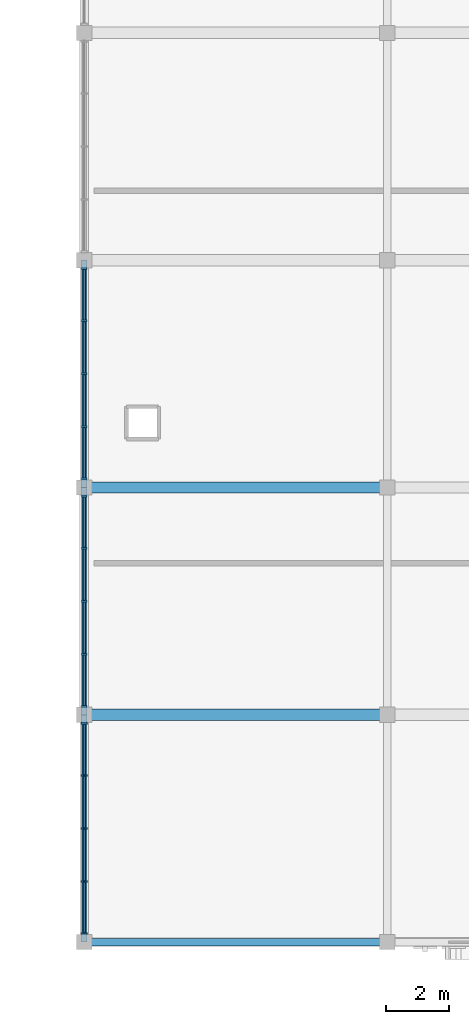
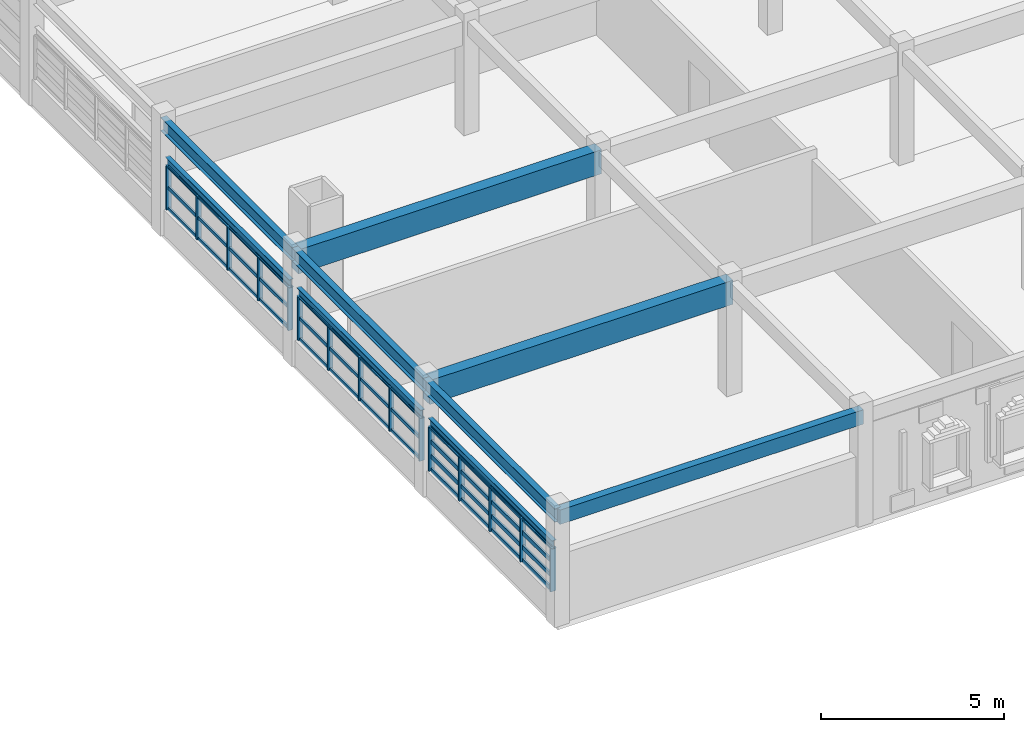
# One storey, part 11 of 79: 55 members, 9 beams, 3 elements without a shape of their own.
"""IFC4 building model written with IfcOpenShell, lengths in metres."""

from ifc_helpers import new_model, si_unit, direction, frame, origin, origin_2d, place, context, subcontext, project, spatial, rectangle, i_section, extrude, material, material_profile, profile_set, type_object, element, aggregate, save


model = new_model("IFC4")

# Units and contexts
model_context = context("Model", 3, precision=1e-05, world=origin(), true_north=direction((0.0, 1.0)))
body_context = subcontext(model_context, "Body", "Model", "MODEL_VIEW")
ifc_project = project(units=[si_unit("LENGTHUNIT", "METRE"), si_unit("AREAUNIT", "SQUARE_METRE"), si_unit("VOLUMEUNIT", "CUBIC_METRE"), si_unit("PLANEANGLEUNIT", "RADIAN"), si_unit("MASSUNIT", "GRAM", prefix="KILO")], contexts=[model_context])

# Site, building, storey
site_placement = place(None, origin())
site = spatial("IfcSite", under=ifc_project, at=site_placement, CompositionType="ELEMENT")
building_placement = place(site_placement, origin())
building = spatial("IfcBuilding", under=site, at=building_placement, Name="Nzembalo Square Collegiate School", CompositionType="ELEMENT")
storey_placement = place(building_placement, frame((0.0, 0.0, 9.52001953125)))
storey = spatial("IfcBuildingStorey", under=building, at=storey_placement, Name="L02", CompositionType="ELEMENT", Elevation=9.52001953125)

# Beams
ifc_material_1 = material(Name="Steel S355", Category="steel")
ifc_material_profile_1 = material_profile(ifc_material_1, i_section(OverallWidth=0.18994140625, OverallDepth=0.449951171875, WebThickness=0.009521484375, FlangeThickness=0.0146484375, at=origin_2d()), Name="IPE 450")
ifc_profile_set_1 = profile_set([ifc_material_profile_1], Name="Steel S355")
beam_type_1 = type_object("IfcBeamType", Name="B09", PredefinedType="BEAM", material=ifc_profile_set_1)
beam_1_placement = place(storey_placement, frame((130.800048828125, 8.39990234375, 3.56005859375), z_axis=(0.0, 1.0, 0.0), x_axis=(-1.0, 0.0, 0.0)))
element("IfcBeam", 1, at=beam_1_placement, inside=storey, type_object=beam_type_1, Name="Beam B09 L02", PredefinedType="BEAM", context=body_context, shape_type="SweptSolid", body=[
    extrude(i_section(OverallWidth=0.18994140625, OverallDepth=0.449951171875, WebThickness=0.009521484375, FlangeThickness=0.0146484375, at=origin_2d()), origin(), (0.0, 0.0, 1.0), 7.2001953125),
])
for number, where, z_axis, x_axis, name in (
    (2, (130.800048828125, 15.60009765625, 3.56005859375), (0.0, 1.0, 0.0), (-1.0, 0.0, 0.0), "Beam B09 L02"),
    (3, (130.800048828125, 22.800048828125, 3.56005859375), (0.0, 1.0, 0.0), (-1.0, 0.0, 0.0), "Beam B09 L02"),
):
    element("IfcBeam", number, at=place(storey_placement, frame(where, z_axis=z_axis, x_axis=x_axis)), inside=storey, type_object=beam_type_1, Name=name, PredefinedType="BEAM", context=body_context, shape_type="SweptSolid", body=[
        extrude(i_section(OverallWidth=0.18994140625, OverallDepth=0.449951171875, WebThickness=0.009521484375, FlangeThickness=0.0146484375, at=origin_2d()), origin(), (0.0, 0.0, 1.0), 7.199951171875),
    ])
ifc_material_2 = material(Name="Glulam GL32h", Category="wood")
ifc_material_profile_2 = material_profile(ifc_material_2, rectangle(XDim=0.360107421875, YDim=0.800048828125, at=origin_2d()), Name="GL32h 360x800")
ifc_profile_set_2 = profile_set([ifc_material_profile_2], Name="Glulam GL32h")
beam_type_2 = type_object("IfcBeamType", Name="B13", PredefinedType="BEAM", material=ifc_profile_set_2)
for number, where, z_axis, x_axis, name in (
    (4, (130.800048828125, 15.60009765625, 3.385009765625), (1.0, 0.0, 0.0), (0.0, 1.0, 0.0), "Beam B13 L02"),
    (5, (130.800048828125, 22.800048828125, 3.385009765625), (1.0, 0.0, 0.0), (0.0, 1.0, 0.0), "Beam B13 L02"),
):
    element("IfcBeam", number, at=place(storey_placement, frame(where, z_axis=z_axis, x_axis=x_axis)), inside=storey, type_object=beam_type_2, Name=name, PredefinedType="BEAM", context=body_context, shape_type="SweptSolid", body=[
        extrude(rectangle(XDim=0.360107421875, YDim=0.800048828125, at=origin_2d()), origin(), (0.0, 0.0, 1.0), 9.599853515625),
    ])
ifc_material_3 = material(Name="Steel S355", Category="steel")
ifc_material_profile_3 = material_profile(ifc_material_3, i_section(OverallWidth=0.135009765625, OverallDepth=0.27001953125, WebThickness=0.006591796875, FlangeThickness=0.01025390625, at=origin_2d()), Name="IPE 270")
ifc_profile_set_3 = profile_set([ifc_material_profile_3], Name="Steel S355")
beam_type_3 = type_object("IfcBeamType", Name="LN02", PredefinedType="LINTEL", material=ifc_profile_set_3)
beam_2_placement = place(storey_placement, frame((130.800048828125, 8.60009765625, 2.445068359375), z_axis=(0.0, 1.0, 0.0), x_axis=(-1.0, 0.0, 0.0)))
element("IfcBeam", 6, at=beam_2_placement, inside=storey, type_object=beam_type_3, Name="Opening lintel LN02-07", PredefinedType="LINTEL", context=body_context, shape_type="SweptSolid", body=[
    extrude(i_section(OverallWidth=0.135009765625, OverallDepth=0.27001953125, WebThickness=0.006591796875, FlangeThickness=0.01025390625, at=origin_2d()), origin(), (0.0, 0.0, 1.0), 6.7998046875),
])
for number, where, z_axis, x_axis, name in (
    (7, (130.800048828125, 15.800048828125, 2.445068359375), (0.0, 1.0, 0.0), (-1.0, 0.0, 0.0), "Opening lintel LN02-08"),
    (8, (130.800048828125, 23.0, 2.445068359375), (0.0, 1.0, 0.0), (-1.0, 0.0, 0.0), "Opening lintel LN02-09"),
):
    element("IfcBeam", number, at=place(storey_placement, frame(where, z_axis=z_axis, x_axis=x_axis)), inside=storey, type_object=beam_type_3, Name=name, PredefinedType="LINTEL", context=body_context, shape_type="SweptSolid", body=[
        extrude(i_section(OverallWidth=0.135009765625, OverallDepth=0.27001953125, WebThickness=0.006591796875, FlangeThickness=0.01025390625, at=origin_2d()), origin(), (0.0, 0.0, 1.0), 6.800048828125),
    ])
ifc_material_4 = material(Name="Glulam GL28h", Category="wood")
ifc_material_profile_4 = material_profile(ifc_material_4, rectangle(XDim=0.239990234375, YDim=0.47998046875, at=origin_2d()), Name="GL28h 240x480")
ifc_profile_set_4 = profile_set([ifc_material_profile_4], Name="Glulam GL28h")
beam_type_4 = type_object("IfcBeamType", Name="SP02", PredefinedType="SPANDREL", material=ifc_profile_set_4)
beam_3_placement = place(storey_placement, frame((130.800048828125, 8.39990234375, 3.544921875), z_axis=(1.0, 0.0, 0.0), x_axis=(0.0, 1.0, 0.0)))
element("IfcBeam", 9, at=beam_3_placement, inside=storey, type_object=beam_type_4, Name="Beam SP02 L02", PredefinedType="SPANDREL", context=body_context, shape_type="SweptSolid", body=[
    extrude(rectangle(XDim=0.239990234375, YDim=0.47998046875, at=origin_2d()), origin(), (0.0, 0.0, 1.0), 9.599853515625),
])

# Curtain wall, members
ifc_material_5 = material(Name="Aluminium 6060-T66", Category="aluminium")
curtain_wall_type_1 = type_object("IfcCurtainWallType", Name="CW-06", PredefinedType="USERDEFINED", material=ifc_material_5)
curtain_wall_1_placement = place(storey_placement, origin())
curtain_wall_1 = element("IfcCurtainWall", 10, at=curtain_wall_1_placement, inside=storey, type_object=curtain_wall_type_1, Name="Curtain wall CW-06 cw:L02:093", ObjectType="LANCET", PredefinedType="USERDEFINED")
ifc_material_6 = material(Name="Aluminium 6060-T66", Category="aluminium")
ifc_material_profile_5 = material_profile(ifc_material_6, rectangle(XDim=0.06005859375, YDim=0.179931640625, at=origin_2d()), Name="ALU M60x180")
ifc_profile_set_5 = profile_set([ifc_material_profile_5], Name="Aluminium 6060-T66")
member_type_1 = type_object("IfcMemberType", Name="ML01", PredefinedType="MULLION", material=ifc_profile_set_5)
member_1_placement = place(storey_placement, frame((130.800048828125, 8.672119140625, 0.85009765625), z_axis=(0.0, 0.0, 1.0), x_axis=(0.0, 1.0, 0.0)))
member_1 = element("IfcMember", 11, at=member_1_placement, type_object=member_type_1, Name="ML01 mullion 1", PredefinedType="MULLION", context=body_context, shape_type="SweptSolid", body=[
    extrude(rectangle(XDim=0.06005859375, YDim=0.179931640625, at=origin_2d()), origin(), (0.0, 0.0, 1.0), 1.453857421875),
])
member_2_placement = place(storey_placement, frame((130.800048828125, 10.321044921875, 0.85009765625), z_axis=(0.0, 0.0, 1.0), x_axis=(0.0, 1.0, 0.0)))
member_2 = element("IfcMember", 12, at=member_2_placement, type_object=member_type_1, Name="ML01 mullion 2", PredefinedType="MULLION", context=body_context, shape_type="SweptSolid", body=[
    extrude(rectangle(XDim=0.06005859375, YDim=0.179931640625, at=origin_2d()), origin(), (0.0, 0.0, 1.0), 1.453857421875),
])
member_3_placement = place(storey_placement, frame((130.800048828125, 12.0, 0.85009765625), z_axis=(0.0, 0.0, 1.0), x_axis=(0.0, 1.0, 0.0)))
member_3 = element("IfcMember", 13, at=member_3_placement, type_object=member_type_1, Name="ML01 mullion 3", PredefinedType="MULLION", context=body_context, shape_type="SweptSolid", body=[
    extrude(rectangle(XDim=0.06005859375, YDim=0.179931640625, at=origin_2d()), origin(), (0.0, 0.0, 1.0), 1.453857421875),
])
member_4_placement = place(storey_placement, frame((130.800048828125, 13.678955078125, 0.85009765625), z_axis=(0.0, 0.0, 1.0), x_axis=(0.0, 1.0, 0.0)))
member_4 = element("IfcMember", 14, at=member_4_placement, type_object=member_type_1, Name="ML01 mullion 4", PredefinedType="MULLION", context=body_context, shape_type="SweptSolid", body=[
    extrude(rectangle(XDim=0.06005859375, YDim=0.179931640625, at=origin_2d()), origin(), (0.0, 0.0, 1.0), 1.453857421875),
])
member_5_placement = place(storey_placement, frame((130.800048828125, 15.327880859375, 0.85009765625), z_axis=(0.0, 0.0, 1.0), x_axis=(0.0, 1.0, 0.0)))
member_5 = element("IfcMember", 15, at=member_5_placement, type_object=member_type_1, Name="ML01 mullion 5", PredefinedType="MULLION", context=body_context, shape_type="SweptSolid", body=[
    extrude(rectangle(XDim=0.06005859375, YDim=0.179931640625, at=origin_2d()), origin(), (0.0, 0.0, 1.0), 1.453857421875),
])

ifc_material_7 = material(Name="Aluminium 6060-T66", Category="aluminium")
curtain_wall_type_2 = type_object("IfcCurtainWallType", Name="CW-07", PredefinedType="USERDEFINED", material=ifc_material_7)
curtain_wall_2_placement = place(storey_placement, origin())
curtain_wall_2 = element("IfcCurtainWall", 16, at=curtain_wall_2_placement, inside=storey, type_object=curtain_wall_type_2, Name="Curtain wall CW-07 cw:L02:094", ObjectType="LANCET", PredefinedType="USERDEFINED")
ifc_material_8 = material(Name="Aluminium 6060-T66", Category="aluminium")
ifc_material_profile_6 = material_profile(ifc_material_8, rectangle(XDim=0.06005859375, YDim=0.14990234375, at=origin_2d()), Name="ALU M60x150")
ifc_profile_set_6 = profile_set([ifc_material_profile_6], Name="Aluminium 6060-T66")
member_type_2 = type_object("IfcMemberType", Name="ML02", PredefinedType="MULLION", material=ifc_profile_set_6)
member_6_placement = place(storey_placement, frame((130.800048828125, 15.8720703125, 0.85009765625), z_axis=(0.0, 0.0, 1.0), x_axis=(0.0, 1.0, 0.0)))
member_6 = element("IfcMember", 17, at=member_6_placement, type_object=member_type_2, Name="ML02 mullion 1", PredefinedType="MULLION", context=body_context, shape_type="SweptSolid", body=[
    extrude(rectangle(XDim=0.06005859375, YDim=0.14990234375, at=origin_2d()), origin(), (0.0, 0.0, 1.0), 1.453857421875),
])
member_7_placement = place(storey_placement, frame((130.800048828125, 17.52099609375, 0.85009765625), z_axis=(0.0, 0.0, 1.0), x_axis=(0.0, 1.0, 0.0)))
member_7 = element("IfcMember", 18, at=member_7_placement, type_object=member_type_2, Name="ML02 mullion 2", PredefinedType="MULLION", context=body_context, shape_type="SweptSolid", body=[
    extrude(rectangle(XDim=0.06005859375, YDim=0.14990234375, at=origin_2d()), origin(), (0.0, 0.0, 1.0), 1.453857421875),
])
member_8_placement = place(storey_placement, frame((130.800048828125, 19.199951171875, 0.85009765625), z_axis=(0.0, 0.0, 1.0), x_axis=(0.0, 1.0, 0.0)))
member_8 = element("IfcMember", 19, at=member_8_placement, type_object=member_type_2, Name="ML02 mullion 3", PredefinedType="MULLION", context=body_context, shape_type="SweptSolid", body=[
    extrude(rectangle(XDim=0.06005859375, YDim=0.14990234375, at=origin_2d()), origin(), (0.0, 0.0, 1.0), 1.453857421875),
])
member_9_placement = place(storey_placement, frame((130.800048828125, 20.87890625, 0.85009765625), z_axis=(0.0, 0.0, 1.0), x_axis=(0.0, 1.0, 0.0)))
member_9 = element("IfcMember", 20, at=member_9_placement, type_object=member_type_2, Name="ML02 mullion 4", PredefinedType="MULLION", context=body_context, shape_type="SweptSolid", body=[
    extrude(rectangle(XDim=0.06005859375, YDim=0.14990234375, at=origin_2d()), origin(), (0.0, 0.0, 1.0), 1.453857421875),
])
member_10_placement = place(storey_placement, frame((130.800048828125, 22.528076171875, 0.85009765625), z_axis=(0.0, 0.0, 1.0), x_axis=(0.0, 1.0, 0.0)))
member_10 = element("IfcMember", 21, at=member_10_placement, type_object=member_type_2, Name="ML02 mullion 5", PredefinedType="MULLION", context=body_context, shape_type="SweptSolid", body=[
    extrude(rectangle(XDim=0.06005859375, YDim=0.14990234375, at=origin_2d()), origin(), (0.0, 0.0, 1.0), 1.453857421875),
])

ifc_material_9 = material(Name="Aluminium 6060-T66", Category="aluminium")
curtain_wall_type_3 = type_object("IfcCurtainWallType", Name="CW-08", PredefinedType="USERDEFINED", material=ifc_material_9)
curtain_wall_3_placement = place(storey_placement, origin())
curtain_wall_3 = element("IfcCurtainWall", 22, at=curtain_wall_3_placement, inside=storey, type_object=curtain_wall_type_3, Name="Curtain wall CW-08 cw:L02:095", ObjectType="LANCET", PredefinedType="USERDEFINED")
member_11_placement = place(storey_placement, frame((130.800048828125, 23.072021484375, 0.85009765625), z_axis=(0.0, 0.0, 1.0), x_axis=(0.0, 1.0, 0.0)))
member_11 = element("IfcMember", 23, at=member_11_placement, type_object=member_type_2, Name="ML02 mullion 1", PredefinedType="MULLION", context=body_context, shape_type="SweptSolid", body=[
    extrude(rectangle(XDim=0.06005859375, YDim=0.14990234375, at=origin_2d()), origin(), (0.0, 0.0, 1.0), 1.453857421875),
])
member_12_placement = place(storey_placement, frame((130.800048828125, 24.720947265625, 0.85009765625), z_axis=(0.0, 0.0, 1.0), x_axis=(0.0, 1.0, 0.0)))
member_12 = element("IfcMember", 24, at=member_12_placement, type_object=member_type_2, Name="ML02 mullion 2", PredefinedType="MULLION", context=body_context, shape_type="SweptSolid", body=[
    extrude(rectangle(XDim=0.06005859375, YDim=0.14990234375, at=origin_2d()), origin(), (0.0, 0.0, 1.0), 1.453857421875),
])
member_13_placement = place(storey_placement, frame((130.800048828125, 26.39990234375, 0.85009765625), z_axis=(0.0, 0.0, 1.0), x_axis=(0.0, 1.0, 0.0)))
member_13 = element("IfcMember", 25, at=member_13_placement, type_object=member_type_2, Name="ML02 mullion 3", PredefinedType="MULLION", context=body_context, shape_type="SweptSolid", body=[
    extrude(rectangle(XDim=0.06005859375, YDim=0.14990234375, at=origin_2d()), origin(), (0.0, 0.0, 1.0), 1.453857421875),
])
member_14_placement = place(storey_placement, frame((130.800048828125, 28.0791015625, 0.85009765625), z_axis=(0.0, 0.0, 1.0), x_axis=(0.0, 1.0, 0.0)))
member_14 = element("IfcMember", 26, at=member_14_placement, type_object=member_type_2, Name="ML02 mullion 4", PredefinedType="MULLION", context=body_context, shape_type="SweptSolid", body=[
    extrude(rectangle(XDim=0.06005859375, YDim=0.14990234375, at=origin_2d()), origin(), (0.0, 0.0, 1.0), 1.453857421875),
])
member_15_placement = place(storey_placement, frame((130.800048828125, 29.72802734375, 0.85009765625), z_axis=(0.0, 0.0, 1.0), x_axis=(0.0, 1.0, 0.0)))
member_15 = element("IfcMember", 27, at=member_15_placement, type_object=member_type_2, Name="ML02 mullion 5", PredefinedType="MULLION", context=body_context, shape_type="SweptSolid", body=[
    extrude(rectangle(XDim=0.06005859375, YDim=0.14990234375, at=origin_2d()), origin(), (0.0, 0.0, 1.0), 1.453857421875),
])

# Member
ifc_material_10 = material(Name="Aluminium 6060-T66", Category="aluminium")
ifc_material_profile_7 = material_profile(ifc_material_10, rectangle(XDim=0.06005859375, YDim=0.139892578125, at=origin_2d()), Name="ALU T60x140")
ifc_profile_set_7 = profile_set([ifc_material_profile_7], Name="Aluminium 6060-T66")
member_type_3 = type_object("IfcMemberType", Name="TR01", PredefinedType="USERDEFINED", material=ifc_profile_set_7)
member_16_placement = place(storey_placement, frame((130.800048828125, 8.701904296875, 0.8798828125), z_axis=(0.0, 1.0, 0.0), x_axis=(-1.0, 0.0, 0.0)))
member_16 = element("IfcMember", 28, at=member_16_placement, type_object=member_type_3, Name="TR01 transom 1-1", ObjectType="TRANSOM", PredefinedType="USERDEFINED", context=body_context, shape_type="SweptSolid", body=[
    extrude(rectangle(XDim=0.06005859375, YDim=0.139892578125, at=origin_2d()), origin(), (0.0, 0.0, 1.0), 1.589111328125),
])

member_17_placement = place(storey_placement, frame((130.800048828125, 10.35107421875, 0.8798828125), z_axis=(0.0, 1.0, 0.0), x_axis=(-1.0, 0.0, 0.0)))
member_17 = element("IfcMember", 29, at=member_17_placement, type_object=member_type_3, Name="TR01 transom 1-2", ObjectType="TRANSOM", PredefinedType="USERDEFINED", context=body_context, shape_type="SweptSolid", body=[
    extrude(rectangle(XDim=0.06005859375, YDim=0.139892578125, at=origin_2d()), origin(), (0.0, 0.0, 1.0), 1.618896484375),
])

member_18_placement = place(storey_placement, frame((130.800048828125, 12.030029296875, 0.8798828125), z_axis=(0.0, 1.0, 0.0), x_axis=(-1.0, 0.0, 0.0)))
member_18 = element("IfcMember", 30, at=member_18_placement, type_object=member_type_3, Name="TR01 transom 1-3", ObjectType="TRANSOM", PredefinedType="USERDEFINED", context=body_context, shape_type="SweptSolid", body=[
    extrude(rectangle(XDim=0.06005859375, YDim=0.139892578125, at=origin_2d()), origin(), (0.0, 0.0, 1.0), 1.618896484375),
])

member_19_placement = place(storey_placement, frame((130.800048828125, 13.708984375, 0.8798828125), z_axis=(0.0, 1.0, 0.0), x_axis=(-1.0, 0.0, 0.0)))
member_19 = element("IfcMember", 31, at=member_19_placement, type_object=member_type_3, Name="TR01 transom 1-4", ObjectType="TRANSOM", PredefinedType="USERDEFINED", context=body_context, shape_type="SweptSolid", body=[
    extrude(rectangle(XDim=0.06005859375, YDim=0.139892578125, at=origin_2d()), origin(), (0.0, 0.0, 1.0), 1.589111328125),
])

member_20_placement = place(storey_placement, frame((130.800048828125, 8.701904296875, 1.334716796875), z_axis=(0.0, 1.0, 0.0), x_axis=(-1.0, 0.0, 0.0)))
member_20 = element("IfcMember", 32, at=member_20_placement, type_object=member_type_3, Name="TR01 transom 2-1", ObjectType="TRANSOM", PredefinedType="USERDEFINED", context=body_context, shape_type="SweptSolid", body=[
    extrude(rectangle(XDim=0.06005859375, YDim=0.139892578125, at=origin_2d()), origin(), (0.0, 0.0, 1.0), 1.589111328125),
])

member_21_placement = place(storey_placement, frame((130.800048828125, 10.35107421875, 1.334716796875), z_axis=(0.0, 1.0, 0.0), x_axis=(-1.0, 0.0, 0.0)))
member_21 = element("IfcMember", 33, at=member_21_placement, type_object=member_type_3, Name="TR01 transom 2-2", ObjectType="TRANSOM", PredefinedType="USERDEFINED", context=body_context, shape_type="SweptSolid", body=[
    extrude(rectangle(XDim=0.06005859375, YDim=0.139892578125, at=origin_2d()), origin(), (0.0, 0.0, 1.0), 1.618896484375),
])

member_22_placement = place(storey_placement, frame((130.800048828125, 12.030029296875, 1.334716796875), z_axis=(0.0, 1.0, 0.0), x_axis=(-1.0, 0.0, 0.0)))
member_22 = element("IfcMember", 34, at=member_22_placement, type_object=member_type_3, Name="TR01 transom 2-3", ObjectType="TRANSOM", PredefinedType="USERDEFINED", context=body_context, shape_type="SweptSolid", body=[
    extrude(rectangle(XDim=0.06005859375, YDim=0.139892578125, at=origin_2d()), origin(), (0.0, 0.0, 1.0), 1.618896484375),
])

member_23_placement = place(storey_placement, frame((130.800048828125, 13.708984375, 1.334716796875), z_axis=(0.0, 1.0, 0.0), x_axis=(-1.0, 0.0, 0.0)))
member_23 = element("IfcMember", 35, at=member_23_placement, type_object=member_type_3, Name="TR01 transom 2-4", ObjectType="TRANSOM", PredefinedType="USERDEFINED", context=body_context, shape_type="SweptSolid", body=[
    extrude(rectangle(XDim=0.06005859375, YDim=0.139892578125, at=origin_2d()), origin(), (0.0, 0.0, 1.0), 1.589111328125),
])

member_24_placement = place(storey_placement, frame((130.800048828125, 8.701904296875, 1.8193359375), z_axis=(0.0, 1.0, 0.0), x_axis=(-1.0, 0.0, 0.0)))
member_24 = element("IfcMember", 36, at=member_24_placement, type_object=member_type_3, Name="TR01 transom 3-1", ObjectType="TRANSOM", PredefinedType="USERDEFINED", context=body_context, shape_type="SweptSolid", body=[
    extrude(rectangle(XDim=0.06005859375, YDim=0.139892578125, at=origin_2d()), origin(), (0.0, 0.0, 1.0), 1.589111328125),
])

member_25_placement = place(storey_placement, frame((130.800048828125, 10.35107421875, 1.8193359375), z_axis=(0.0, 1.0, 0.0), x_axis=(-1.0, 0.0, 0.0)))
member_25 = element("IfcMember", 37, at=member_25_placement, type_object=member_type_3, Name="TR01 transom 3-2", ObjectType="TRANSOM", PredefinedType="USERDEFINED", context=body_context, shape_type="SweptSolid", body=[
    extrude(rectangle(XDim=0.06005859375, YDim=0.139892578125, at=origin_2d()), origin(), (0.0, 0.0, 1.0), 1.618896484375),
])

member_26_placement = place(storey_placement, frame((130.800048828125, 12.030029296875, 1.8193359375), z_axis=(0.0, 1.0, 0.0), x_axis=(-1.0, 0.0, 0.0)))
member_26 = element("IfcMember", 38, at=member_26_placement, type_object=member_type_3, Name="TR01 transom 3-3", ObjectType="TRANSOM", PredefinedType="USERDEFINED", context=body_context, shape_type="SweptSolid", body=[
    extrude(rectangle(XDim=0.06005859375, YDim=0.139892578125, at=origin_2d()), origin(), (0.0, 0.0, 1.0), 1.618896484375),
])

member_27_placement = place(storey_placement, frame((130.800048828125, 13.708984375, 1.8193359375), z_axis=(0.0, 1.0, 0.0), x_axis=(-1.0, 0.0, 0.0)))
member_27 = element("IfcMember", 39, at=member_27_placement, type_object=member_type_3, Name="TR01 transom 3-4", ObjectType="TRANSOM", PredefinedType="USERDEFINED", context=body_context, shape_type="SweptSolid", body=[
    extrude(rectangle(XDim=0.06005859375, YDim=0.139892578125, at=origin_2d()), origin(), (0.0, 0.0, 1.0), 1.589111328125),
])

member_28_placement = place(storey_placement, frame((130.800048828125, 8.701904296875, 2.27392578125), z_axis=(0.0, 1.0, 0.0), x_axis=(-1.0, 0.0, 0.0)))
member_28 = element("IfcMember", 40, at=member_28_placement, type_object=member_type_3, Name="TR01 transom 4-1", ObjectType="TRANSOM", PredefinedType="USERDEFINED", context=body_context, shape_type="SweptSolid", body=[
    extrude(rectangle(XDim=0.06005859375, YDim=0.139892578125, at=origin_2d()), origin(), (0.0, 0.0, 1.0), 1.589111328125),
])

member_29_placement = place(storey_placement, frame((130.800048828125, 10.35107421875, 2.27392578125), z_axis=(0.0, 1.0, 0.0), x_axis=(-1.0, 0.0, 0.0)))
member_29 = element("IfcMember", 41, at=member_29_placement, type_object=member_type_3, Name="TR01 transom 4-2", ObjectType="TRANSOM", PredefinedType="USERDEFINED", context=body_context, shape_type="SweptSolid", body=[
    extrude(rectangle(XDim=0.06005859375, YDim=0.139892578125, at=origin_2d()), origin(), (0.0, 0.0, 1.0), 1.618896484375),
])

member_30_placement = place(storey_placement, frame((130.800048828125, 12.030029296875, 2.27392578125), z_axis=(0.0, 1.0, 0.0), x_axis=(-1.0, 0.0, 0.0)))
member_30 = element("IfcMember", 42, at=member_30_placement, type_object=member_type_3, Name="TR01 transom 4-3", ObjectType="TRANSOM", PredefinedType="USERDEFINED", context=body_context, shape_type="SweptSolid", body=[
    extrude(rectangle(XDim=0.06005859375, YDim=0.139892578125, at=origin_2d()), origin(), (0.0, 0.0, 1.0), 1.618896484375),
])

member_31_placement = place(storey_placement, frame((130.800048828125, 13.708984375, 2.27392578125), z_axis=(0.0, 1.0, 0.0), x_axis=(-1.0, 0.0, 0.0)))
member_31 = element("IfcMember", 43, at=member_31_placement, type_object=member_type_3, Name="TR01 transom 4-4", ObjectType="TRANSOM", PredefinedType="USERDEFINED", context=body_context, shape_type="SweptSolid", body=[
    extrude(rectangle(XDim=0.06005859375, YDim=0.139892578125, at=origin_2d()), origin(), (0.0, 0.0, 1.0), 1.589111328125),
])

aggregate(curtain_wall_1, [member_1, member_2, member_3, member_4, member_5, member_16, member_17, member_18, member_19, member_20, member_21, member_22, member_23, member_24, member_25, member_26, member_27, member_28, member_29, member_30, member_31])

ifc_material_11 = material(Name="Aluminium 6060-T66", Category="aluminium")
ifc_material_profile_8 = material_profile(ifc_material_11, rectangle(XDim=0.06005859375, YDim=0.110107421875, at=origin_2d()), Name="ALU T60x110")
ifc_profile_set_8 = profile_set([ifc_material_profile_8], Name="Aluminium 6060-T66")
member_type_4 = type_object("IfcMemberType", Name="TR02", PredefinedType="USERDEFINED", material=ifc_profile_set_8)
member_32_placement = place(storey_placement, frame((130.800048828125, 15.902099609375, 0.8798828125), z_axis=(0.0, 1.0, 0.0), x_axis=(-1.0, 0.0, 0.0)))
member_32 = element("IfcMember", 44, at=member_32_placement, type_object=member_type_4, Name="TR02 transom 1-1", ObjectType="TRANSOM", PredefinedType="USERDEFINED", context=body_context, shape_type="SweptSolid", body=[
    extrude(rectangle(XDim=0.06005859375, YDim=0.110107421875, at=origin_2d()), origin(), (0.0, 0.0, 1.0), 1.5888671875),
])

member_33_placement = place(storey_placement, frame((130.800048828125, 17.551025390625, 0.8798828125), z_axis=(0.0, 1.0, 0.0), x_axis=(-1.0, 0.0, 0.0)))
member_33 = element("IfcMember", 45, at=member_33_placement, type_object=member_type_4, Name="TR02 transom 1-2", ObjectType="TRANSOM", PredefinedType="USERDEFINED", context=body_context, shape_type="SweptSolid", body=[
    extrude(rectangle(XDim=0.06005859375, YDim=0.110107421875, at=origin_2d()), origin(), (0.0, 0.0, 1.0), 1.618896484375),
])

member_34_placement = place(storey_placement, frame((130.800048828125, 19.22998046875, 0.8798828125), z_axis=(0.0, 1.0, 0.0), x_axis=(-1.0, 0.0, 0.0)))
member_34 = element("IfcMember", 46, at=member_34_placement, type_object=member_type_4, Name="TR02 transom 1-3", ObjectType="TRANSOM", PredefinedType="USERDEFINED", context=body_context, shape_type="SweptSolid", body=[
    extrude(rectangle(XDim=0.06005859375, YDim=0.110107421875, at=origin_2d()), origin(), (0.0, 0.0, 1.0), 1.619140625),
])

member_35_placement = place(storey_placement, frame((130.800048828125, 20.908935546875, 0.8798828125), z_axis=(0.0, 1.0, 0.0), x_axis=(-1.0, 0.0, 0.0)))
member_35 = element("IfcMember", 47, at=member_35_placement, type_object=member_type_4, Name="TR02 transom 1-4", ObjectType="TRANSOM", PredefinedType="USERDEFINED", context=body_context, shape_type="SweptSolid", body=[
    extrude(rectangle(XDim=0.06005859375, YDim=0.110107421875, at=origin_2d()), origin(), (0.0, 0.0, 1.0), 1.589111328125),
])

member_36_placement = place(storey_placement, frame((130.800048828125, 15.902099609375, 1.576904296875), z_axis=(0.0, 1.0, 0.0), x_axis=(-1.0, 0.0, 0.0)))
member_36 = element("IfcMember", 48, at=member_36_placement, type_object=member_type_4, Name="TR02 transom 2-1", ObjectType="TRANSOM", PredefinedType="USERDEFINED", context=body_context, shape_type="SweptSolid", body=[
    extrude(rectangle(XDim=0.06005859375, YDim=0.110107421875, at=origin_2d()), origin(), (0.0, 0.0, 1.0), 1.5888671875),
])

member_37_placement = place(storey_placement, frame((130.800048828125, 17.551025390625, 1.576904296875), z_axis=(0.0, 1.0, 0.0), x_axis=(-1.0, 0.0, 0.0)))
member_37 = element("IfcMember", 49, at=member_37_placement, type_object=member_type_4, Name="TR02 transom 2-2", ObjectType="TRANSOM", PredefinedType="USERDEFINED", context=body_context, shape_type="SweptSolid", body=[
    extrude(rectangle(XDim=0.06005859375, YDim=0.110107421875, at=origin_2d()), origin(), (0.0, 0.0, 1.0), 1.618896484375),
])

member_38_placement = place(storey_placement, frame((130.800048828125, 19.22998046875, 1.576904296875), z_axis=(0.0, 1.0, 0.0), x_axis=(-1.0, 0.0, 0.0)))
member_38 = element("IfcMember", 50, at=member_38_placement, type_object=member_type_4, Name="TR02 transom 2-3", ObjectType="TRANSOM", PredefinedType="USERDEFINED", context=body_context, shape_type="SweptSolid", body=[
    extrude(rectangle(XDim=0.06005859375, YDim=0.110107421875, at=origin_2d()), origin(), (0.0, 0.0, 1.0), 1.619140625),
])

member_39_placement = place(storey_placement, frame((130.800048828125, 20.908935546875, 1.576904296875), z_axis=(0.0, 1.0, 0.0), x_axis=(-1.0, 0.0, 0.0)))
member_39 = element("IfcMember", 51, at=member_39_placement, type_object=member_type_4, Name="TR02 transom 2-4", ObjectType="TRANSOM", PredefinedType="USERDEFINED", context=body_context, shape_type="SweptSolid", body=[
    extrude(rectangle(XDim=0.06005859375, YDim=0.110107421875, at=origin_2d()), origin(), (0.0, 0.0, 1.0), 1.589111328125),
])

member_40_placement = place(storey_placement, frame((130.800048828125, 15.902099609375, 2.27392578125), z_axis=(0.0, 1.0, 0.0), x_axis=(-1.0, 0.0, 0.0)))
member_40 = element("IfcMember", 52, at=member_40_placement, type_object=member_type_4, Name="TR02 transom 3-1", ObjectType="TRANSOM", PredefinedType="USERDEFINED", context=body_context, shape_type="SweptSolid", body=[
    extrude(rectangle(XDim=0.06005859375, YDim=0.110107421875, at=origin_2d()), origin(), (0.0, 0.0, 1.0), 1.5888671875),
])

member_41_placement = place(storey_placement, frame((130.800048828125, 17.551025390625, 2.27392578125), z_axis=(0.0, 1.0, 0.0), x_axis=(-1.0, 0.0, 0.0)))
member_41 = element("IfcMember", 53, at=member_41_placement, type_object=member_type_4, Name="TR02 transom 3-2", ObjectType="TRANSOM", PredefinedType="USERDEFINED", context=body_context, shape_type="SweptSolid", body=[
    extrude(rectangle(XDim=0.06005859375, YDim=0.110107421875, at=origin_2d()), origin(), (0.0, 0.0, 1.0), 1.618896484375),
])

member_42_placement = place(storey_placement, frame((130.800048828125, 19.22998046875, 2.27392578125), z_axis=(0.0, 1.0, 0.0), x_axis=(-1.0, 0.0, 0.0)))
member_42 = element("IfcMember", 54, at=member_42_placement, type_object=member_type_4, Name="TR02 transom 3-3", ObjectType="TRANSOM", PredefinedType="USERDEFINED", context=body_context, shape_type="SweptSolid", body=[
    extrude(rectangle(XDim=0.06005859375, YDim=0.110107421875, at=origin_2d()), origin(), (0.0, 0.0, 1.0), 1.619140625),
])

member_43_placement = place(storey_placement, frame((130.800048828125, 20.908935546875, 2.27392578125), z_axis=(0.0, 1.0, 0.0), x_axis=(-1.0, 0.0, 0.0)))
member_43 = element("IfcMember", 55, at=member_43_placement, type_object=member_type_4, Name="TR02 transom 3-4", ObjectType="TRANSOM", PredefinedType="USERDEFINED", context=body_context, shape_type="SweptSolid", body=[
    extrude(rectangle(XDim=0.06005859375, YDim=0.110107421875, at=origin_2d()), origin(), (0.0, 0.0, 1.0), 1.589111328125),
])

aggregate(curtain_wall_2, [member_6, member_7, member_8, member_9, member_10, member_32, member_33, member_34, member_35, member_36, member_37, member_38, member_39, member_40, member_41, member_42, member_43])

member_44_placement = place(storey_placement, frame((130.800048828125, 23.10205078125, 0.8798828125), z_axis=(0.0, 1.0, 0.0), x_axis=(-1.0, 0.0, 0.0)))
member_44 = element("IfcMember", 56, at=member_44_placement, type_object=member_type_4, Name="TR02 transom 1-1", ObjectType="TRANSOM", PredefinedType="USERDEFINED", context=body_context, shape_type="SweptSolid", body=[
    extrude(rectangle(XDim=0.06005859375, YDim=0.110107421875, at=origin_2d()), origin(), (0.0, 0.0, 1.0), 1.5888671875),
])

member_45_placement = place(storey_placement, frame((130.800048828125, 24.7509765625, 0.8798828125), z_axis=(0.0, 1.0, 0.0), x_axis=(-1.0, 0.0, 0.0)))
member_45 = element("IfcMember", 57, at=member_45_placement, type_object=member_type_4, Name="TR02 transom 1-2", ObjectType="TRANSOM", PredefinedType="USERDEFINED", context=body_context, shape_type="SweptSolid", body=[
    extrude(rectangle(XDim=0.06005859375, YDim=0.110107421875, at=origin_2d()), origin(), (0.0, 0.0, 1.0), 1.619140625),
])

member_46_placement = place(storey_placement, frame((130.800048828125, 26.429931640625, 0.8798828125), z_axis=(0.0, 1.0, 0.0), x_axis=(-1.0, 0.0, 0.0)))
member_46 = element("IfcMember", 58, at=member_46_placement, type_object=member_type_4, Name="TR02 transom 1-3", ObjectType="TRANSOM", PredefinedType="USERDEFINED", context=body_context, shape_type="SweptSolid", body=[
    extrude(rectangle(XDim=0.06005859375, YDim=0.110107421875, at=origin_2d()), origin(), (0.0, 0.0, 1.0), 1.619140625),
])

member_47_placement = place(storey_placement, frame((130.800048828125, 28.10888671875, 0.8798828125), z_axis=(0.0, 1.0, 0.0), x_axis=(-1.0, 0.0, 0.0)))
member_47 = element("IfcMember", 59, at=member_47_placement, type_object=member_type_4, Name="TR02 transom 1-4", ObjectType="TRANSOM", PredefinedType="USERDEFINED", context=body_context, shape_type="SweptSolid", body=[
    extrude(rectangle(XDim=0.06005859375, YDim=0.110107421875, at=origin_2d()), origin(), (0.0, 0.0, 1.0), 1.589111328125),
])

member_48_placement = place(storey_placement, frame((130.800048828125, 23.10205078125, 1.576904296875), z_axis=(0.0, 1.0, 0.0), x_axis=(-1.0, 0.0, 0.0)))
member_48 = element("IfcMember", 60, at=member_48_placement, type_object=member_type_4, Name="TR02 transom 2-1", ObjectType="TRANSOM", PredefinedType="USERDEFINED", context=body_context, shape_type="SweptSolid", body=[
    extrude(rectangle(XDim=0.06005859375, YDim=0.110107421875, at=origin_2d()), origin(), (0.0, 0.0, 1.0), 1.5888671875),
])

member_49_placement = place(storey_placement, frame((130.800048828125, 24.7509765625, 1.576904296875), z_axis=(0.0, 1.0, 0.0), x_axis=(-1.0, 0.0, 0.0)))
member_49 = element("IfcMember", 61, at=member_49_placement, type_object=member_type_4, Name="TR02 transom 2-2", ObjectType="TRANSOM", PredefinedType="USERDEFINED", context=body_context, shape_type="SweptSolid", body=[
    extrude(rectangle(XDim=0.06005859375, YDim=0.110107421875, at=origin_2d()), origin(), (0.0, 0.0, 1.0), 1.619140625),
])

member_50_placement = place(storey_placement, frame((130.800048828125, 26.429931640625, 1.576904296875), z_axis=(0.0, 1.0, 0.0), x_axis=(-1.0, 0.0, 0.0)))
member_50 = element("IfcMember", 62, at=member_50_placement, type_object=member_type_4, Name="TR02 transom 2-3", ObjectType="TRANSOM", PredefinedType="USERDEFINED", context=body_context, shape_type="SweptSolid", body=[
    extrude(rectangle(XDim=0.06005859375, YDim=0.110107421875, at=origin_2d()), origin(), (0.0, 0.0, 1.0), 1.619140625),
])

member_51_placement = place(storey_placement, frame((130.800048828125, 28.10888671875, 1.576904296875), z_axis=(0.0, 1.0, 0.0), x_axis=(-1.0, 0.0, 0.0)))
member_51 = element("IfcMember", 63, at=member_51_placement, type_object=member_type_4, Name="TR02 transom 2-4", ObjectType="TRANSOM", PredefinedType="USERDEFINED", context=body_context, shape_type="SweptSolid", body=[
    extrude(rectangle(XDim=0.06005859375, YDim=0.110107421875, at=origin_2d()), origin(), (0.0, 0.0, 1.0), 1.589111328125),
])

member_52_placement = place(storey_placement, frame((130.800048828125, 23.10205078125, 2.27392578125), z_axis=(0.0, 1.0, 0.0), x_axis=(-1.0, 0.0, 0.0)))
member_52 = element("IfcMember", 64, at=member_52_placement, type_object=member_type_4, Name="TR02 transom 3-1", ObjectType="TRANSOM", PredefinedType="USERDEFINED", context=body_context, shape_type="SweptSolid", body=[
    extrude(rectangle(XDim=0.06005859375, YDim=0.110107421875, at=origin_2d()), origin(), (0.0, 0.0, 1.0), 1.5888671875),
])

member_53_placement = place(storey_placement, frame((130.800048828125, 24.7509765625, 2.27392578125), z_axis=(0.0, 1.0, 0.0), x_axis=(-1.0, 0.0, 0.0)))
member_53 = element("IfcMember", 65, at=member_53_placement, type_object=member_type_4, Name="TR02 transom 3-2", ObjectType="TRANSOM", PredefinedType="USERDEFINED", context=body_context, shape_type="SweptSolid", body=[
    extrude(rectangle(XDim=0.06005859375, YDim=0.110107421875, at=origin_2d()), origin(), (0.0, 0.0, 1.0), 1.619140625),
])

member_54_placement = place(storey_placement, frame((130.800048828125, 26.429931640625, 2.27392578125), z_axis=(0.0, 1.0, 0.0), x_axis=(-1.0, 0.0, 0.0)))
member_54 = element("IfcMember", 66, at=member_54_placement, type_object=member_type_4, Name="TR02 transom 3-3", ObjectType="TRANSOM", PredefinedType="USERDEFINED", context=body_context, shape_type="SweptSolid", body=[
    extrude(rectangle(XDim=0.06005859375, YDim=0.110107421875, at=origin_2d()), origin(), (0.0, 0.0, 1.0), 1.619140625),
])

member_55_placement = place(storey_placement, frame((130.800048828125, 28.10888671875, 2.27392578125), z_axis=(0.0, 1.0, 0.0), x_axis=(-1.0, 0.0, 0.0)))
member_55 = element("IfcMember", 67, at=member_55_placement, type_object=member_type_4, Name="TR02 transom 3-4", ObjectType="TRANSOM", PredefinedType="USERDEFINED", context=body_context, shape_type="SweptSolid", body=[
    extrude(rectangle(XDim=0.06005859375, YDim=0.110107421875, at=origin_2d()), origin(), (0.0, 0.0, 1.0), 1.589111328125),
])

aggregate(curtain_wall_3, [member_11, member_12, member_13, member_14, member_15, member_44, member_45, member_46, member_47, member_48, member_49, member_50, member_51, member_52, member_53, member_54, member_55])

save(model, "model.ifc")
